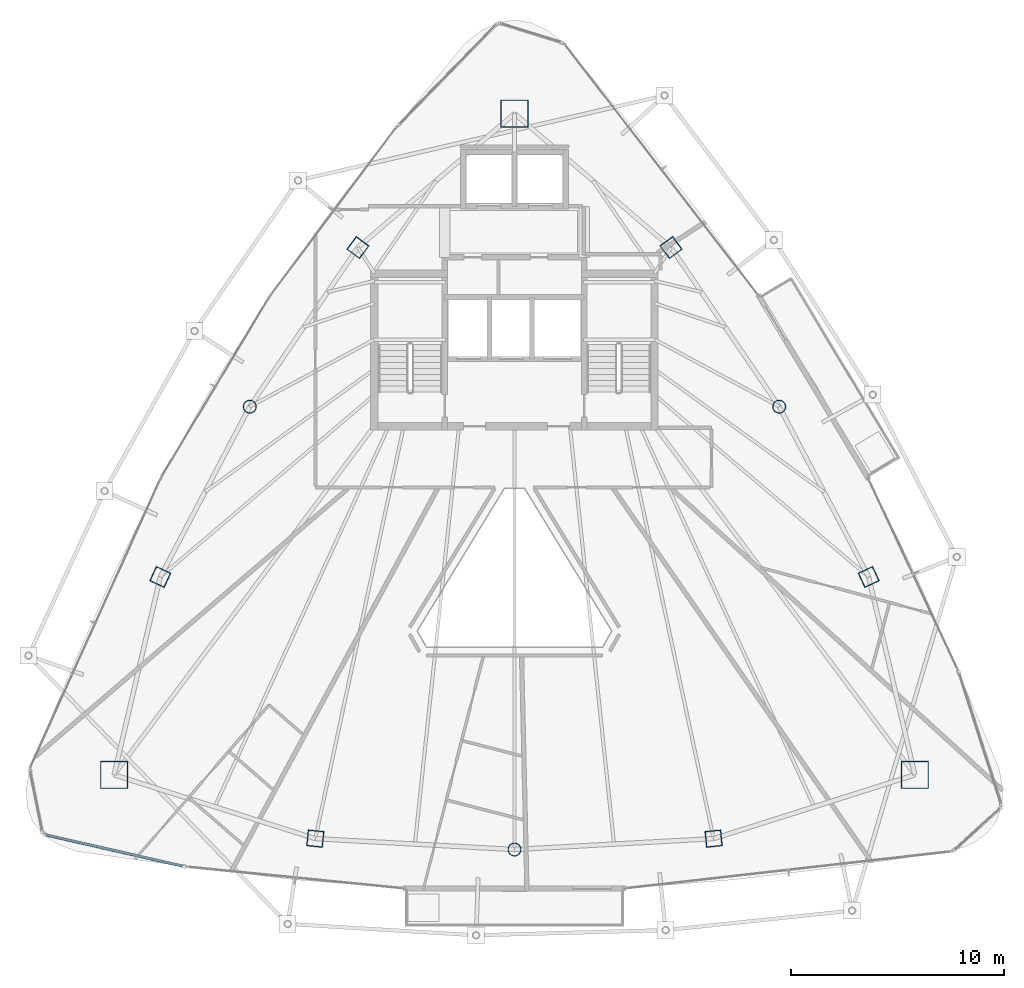
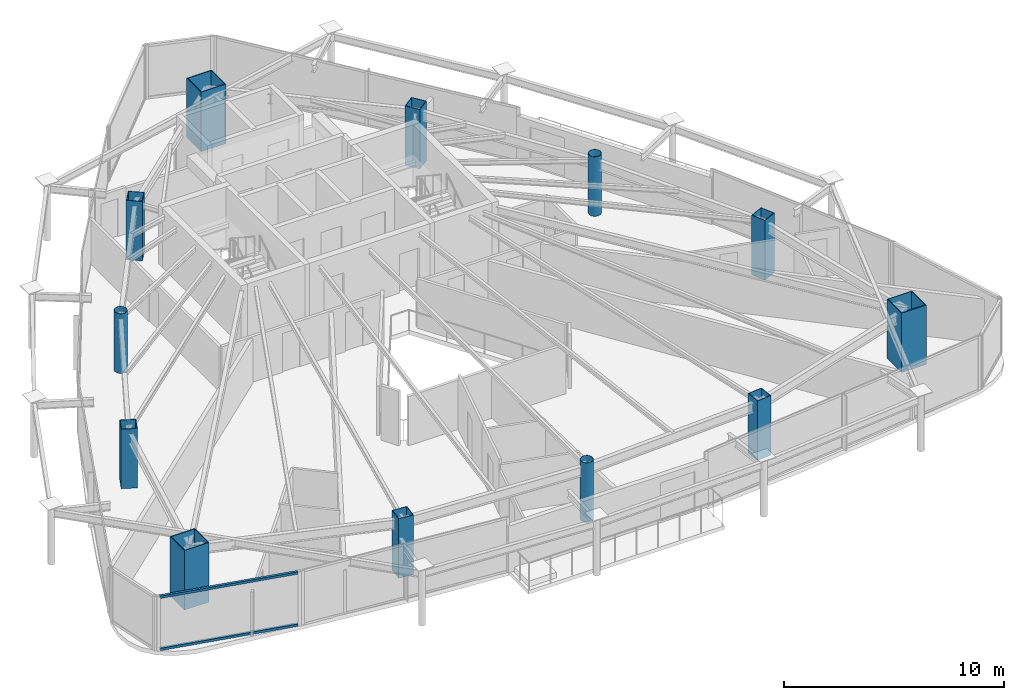
# One storey, part 1 of 30: 12 columns, 2 members, 1 element without a shape of its own.
"""IFC4 building model written with IfcOpenShell, lengths in metres."""

from ifc_helpers import new_model, si_unit, direction, frame, origin, origin_2d, place, context, subcontext, project, spatial, hollow_rectangle, hollow_circle, extrude, material, layer, layer_set, material_profile, profile_set, type_object, element, aggregate, save


model = new_model("IFC4")

# Units and contexts
model_context = context("Model", 3, precision=1e-05, world=origin(), true_north=direction((0.0, 1.0)))
body_context = subcontext(model_context, "Body", "Model", "MODEL_VIEW")
ifc_project = project(units=[si_unit("LENGTHUNIT", "METRE"), si_unit("AREAUNIT", "SQUARE_METRE"), si_unit("VOLUMEUNIT", "CUBIC_METRE"), si_unit("PLANEANGLEUNIT", "RADIAN"), si_unit("MASSUNIT", "GRAM", prefix="KILO")], contexts=[model_context])

# Site, building, storey
site_placement = place(None, origin())
site = spatial("IfcSite", under=ifc_project, at=site_placement, CompositionType="ELEMENT")
building_placement = place(site_placement, origin())
building = spatial("IfcBuilding", under=site, at=building_placement, Name="Orvanel Arch Residences", CompositionType="ELEMENT")
storey_placement = place(building_placement, frame((0.0, 0.0, 232.699951171875)))
storey = spatial("IfcBuildingStorey", under=building, at=storey_placement, Name="L66", CompositionType="ELEMENT", Elevation=232.699951171875)

# Columns
ifc_material_1 = material(Name="Structural steel AS/NZS 1163 C350L0 (Grade 350)", Category="steel")
ifc_material_profile_1 = material_profile(ifc_material_1, hollow_circle(Radius=0.304931640625, WallThickness=0.01611328125, at=origin_2d()), Name="CHS610x16")
ifc_profile_set_1 = profile_set([ifc_material_profile_1], Name="Structural steel AS/NZS 1163 C350L0 (Grade 350)")
column_type_1 = type_object("IfcColumnType", Name="CC-610", PredefinedType="COLUMN", material=ifc_profile_set_1)
for number, where, z_axis, x_axis, name in (
    (1, (20.569091796875, 27.64111328125, 0.0), (0.0, 0.0, 1.0), (1.0, 0.0, 0.0), "L66 High-Rise Tube Column 02"),
    (2, (33.0, 6.843994140625, 0.0), (0.0, 0.0, 1.0), (1.0, 0.0, 0.0), "L66 High-Rise Tube Column 05"),
    (3, (45.430908203125, 27.64111328125, 0.0), (0.0, 0.0, 1.0), (1.0, 0.0, 0.0), "L66 High-Rise Tube Column 08"),
):
    element("IfcColumn", number, at=place(storey_placement, frame(where, z_axis=z_axis, x_axis=x_axis)), inside=storey, type_object=column_type_1, Name=name, PredefinedType="COLUMN", context=body_context, shape_type="SweptSolid", body=[
        extrude(hollow_circle(Radius=0.304931640625, WallThickness=0.01611328125, at=origin_2d()), origin(), (0.0, 0.0, 1.0), 3.300048828125),
    ])
ifc_material_2 = material(Name="Structural steel AS/NZS 3678 Grade 450", Category="steel")
ifc_material_profile_2 = material_profile(ifc_material_2, hollow_rectangle(XDim=1.300048828125, YDim=1.300048828125, WallThickness=0.0400390625, at=origin_2d()), Name="BOX1300x1300x40")
ifc_profile_set_2 = profile_set([ifc_material_profile_2], Name="Structural steel AS/NZS 3678 Grade 450")
column_type_2 = type_object("IfcColumnType", Name="MC-1300", PredefinedType="COLUMN", material=ifc_profile_set_2)
for number, where, z_axis, x_axis, name in (
    (4, (33.0, 41.39794921875, 0.0), (0.0, 0.0, 1.0), (1.0, 0.0, 0.0), "L66 Corner Mega-Column 1"),
    (5, (14.198974609375, 10.35107421875, 0.0), (0.0, 0.0, 1.0), (1.0, 0.0, 0.0), "L66 Corner Mega-Column 2"),
    (6, (51.801025390625, 10.35107421875, 0.0), (0.0, 0.0, 1.0), (1.0, 0.0, 0.0), "L66 Corner Mega-Column 3"),
):
    element("IfcColumn", number, at=place(storey_placement, frame(where, z_axis=z_axis, x_axis=x_axis)), inside=storey, type_object=column_type_2, Name=name, PredefinedType="COLUMN", context=body_context, shape_type="SweptSolid", body=[
        extrude(hollow_rectangle(XDim=1.300048828125, YDim=1.300048828125, WallThickness=0.0400390625, at=origin_2d()), origin(), (0.0, 0.0, 1.0), 3.300048828125),
    ])
ifc_material_3 = material(Name="Structural steel AS/NZS 3678 Grade 350", Category="steel")
ifc_material_profile_3 = material_profile(ifc_material_3, hollow_rectangle(XDim=0.75, YDim=0.75, WallThickness=0.02490234375, at=origin_2d()), Name="BOX750x750x25")
ifc_profile_set_3 = profile_set([ifc_material_profile_3], Name="Structural steel AS/NZS 3678 Grade 350")
column_type_3 = type_object("IfcColumnType", Name="TC-750", PredefinedType="COLUMN", material=ifc_profile_set_3)
for number, where, z_axis, x_axis, name in (
    (7, (25.64794921875, 35.113037109375, 0.0), (0.0, 0.0, 1.0), (0.600420225326, 0.799684658487, 0.0), "L66 High-Rise Tube Column 01"),
    (8, (16.366943359375, 19.64208984375, 0.0), (0.0, 0.0, 1.0), (0.422618261741, 0.906307787037, 0.0), "L66 High-Rise Tube Column 03"),
    (9, (23.64892578125, 7.35498046875, 0.0), (0.0, 0.0, 1.0), (-0.994880708829, 0.101056297183, 0.0), "L66 High-Rise Tube Column 04"),
    (10, (42.35107421875, 7.35498046875, 0.0), (0.0, 0.0, 1.0), (0.994880708829, 0.101056297183, 0.0), "L66 High-Rise Tube Column 06"),
    (11, (49.633056640625, 19.64208984375, 0.0), (0.0, 0.0, 1.0), (-0.422618261741, 0.906307787037, 0.0), "L66 High-Rise Tube Column 07"),
    (12, (40.35205078125, 35.113037109375, 0.0), (0.0, 0.0, 1.0), (-0.600420225326, 0.799684658487, 0.0), "L66 High-Rise Tube Column 09"),
):
    element("IfcColumn", number, at=place(storey_placement, frame(where, z_axis=z_axis, x_axis=x_axis)), inside=storey, type_object=column_type_3, Name=name, PredefinedType="COLUMN", context=body_context, shape_type="SweptSolid", body=[
        extrude(hollow_rectangle(XDim=0.75, YDim=0.75, WallThickness=0.02490234375, at=origin_2d()), origin(), (0.0, 0.0, 1.0), 3.300048828125),
    ])

# Curtain wall, members
ifc_material_4 = material(Name="Bronze-anodised aluminium AA6063-T6", Category="aluminium")
ifc_layer = layer(ifc_material_4, 0.18994140625)
ifc_layer_set = layer_set([ifc_layer], Name="Bronze-anodised aluminium AA6063-T6")
curtain_wall_type = type_object("IfcCurtainWallType", Name="CW5-CRN-SYS", PredefinedType="NOTDEFINED", material=ifc_layer_set)
curtain_wall_placement = place(storey_placement, origin())
curtain_wall = element("IfcCurtainWall", 13, at=curtain_wall_placement, inside=storey, type_object=curtain_wall_type, Name="L66 CW5-CRN-SYS Unitised Curtain Wall", PredefinedType="NOTDEFINED")
ifc_material_profile_4 = material_profile(ifc_material_4, hollow_rectangle(XDim=0.1298828125, YDim=0.1298828125, WallThickness=0.00439453125, at=origin_2d()), Name="ALU130x130x4.5")
ifc_profile_set_4 = profile_set([ifc_material_profile_4], Name="Bronze-anodised aluminium AA6063-T6")
member_type = type_object("IfcMemberType", Name="TRN-130x130", PredefinedType="USERDEFINED", material=ifc_profile_set_4)
member_1_placement = place(storey_placement, frame((11.00927734375, 7.529541015625, 0.06494140625), z_axis=(0.974977866768, -0.22230195526, 0.0), x_axis=(0.22230195526, 0.974977866768, 0.0)))
member_1 = element("IfcMember", 14, at=member_1_placement, type_object=member_type, Name="CW-S5 transom 1.1", ObjectType="TRANSOM", PredefinedType="USERDEFINED", context=body_context, shape_type="SweptSolid", body=[
    extrude(hollow_rectangle(XDim=0.1298828125, YDim=0.1298828125, WallThickness=0.00439453125, at=origin_2d()), origin(), (0.0, 0.0, 1.0), 6.555419921875),
])
member_2_placement = place(storey_placement, frame((11.00927734375, 7.529541015625, 2.955078125), z_axis=(0.974977866768, -0.22230195526, 0.0), x_axis=(0.22230195526, 0.974977866768, 0.0)))
member_2 = element("IfcMember", 15, at=member_2_placement, type_object=member_type, Name="CW-S5 transom 1.2", ObjectType="TRANSOM", PredefinedType="USERDEFINED", context=body_context, shape_type="SweptSolid", body=[
    extrude(hollow_rectangle(XDim=0.1298828125, YDim=0.1298828125, WallThickness=0.00439453125, at=origin_2d()), origin(), (0.0, 0.0, 1.0), 6.555419921875),
])
aggregate(curtain_wall, [member_1, member_2])

save(model, "model.ifc")
